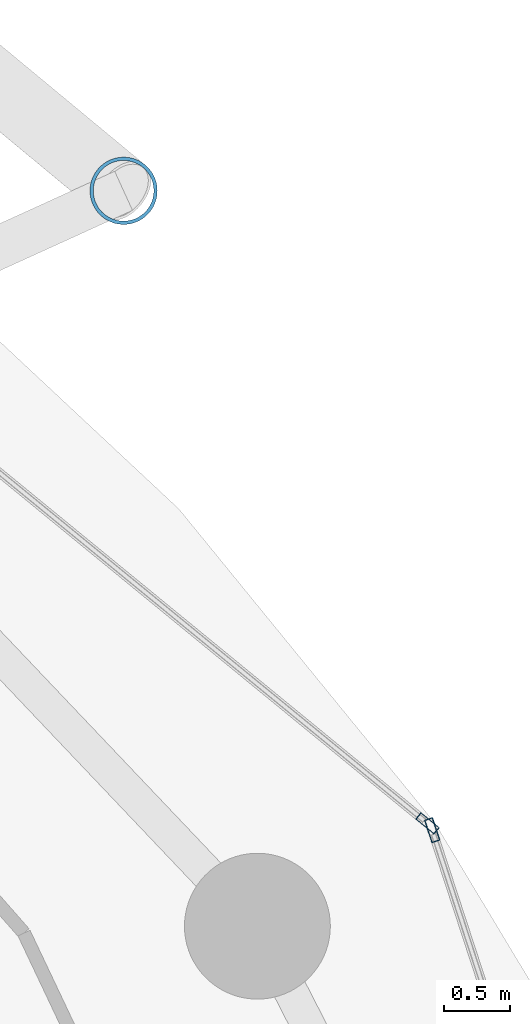
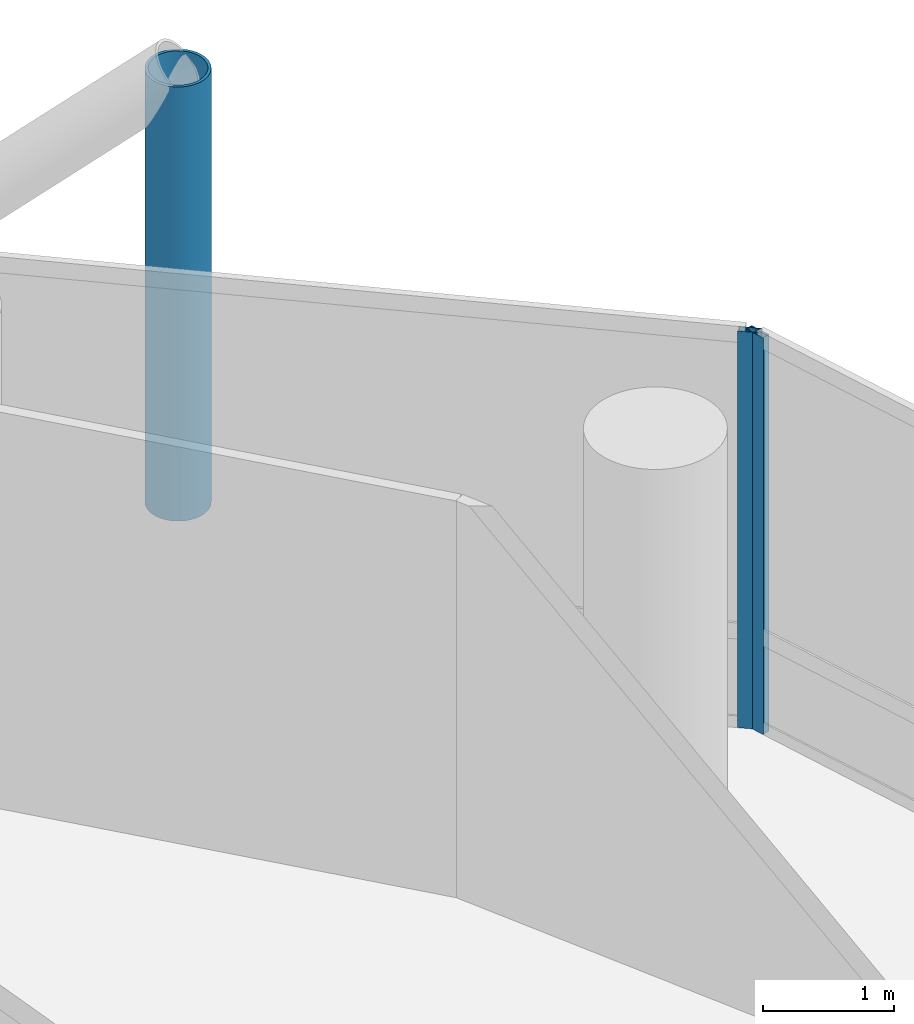
# One storey, part 19 of 27: 3 members, 2 elements without a shape of their own.
"""IFC4 building model written with IfcOpenShell, lengths in metres."""

import ifcopenshell
import ifcopenshell.guid

model = None  # the IFC model being written
_history = None  # IfcOwnerHistory: only IFC2X3 demands one
_inside = {}  # id of a spatial element -> (the spatial element, [elements in it])
_under = {}  # id of a project, library or spatial element -> (it, [spatial elements below it])
_declared = {}  # id of a project -> (the project, [libraries it declares])
_typed = {}  # id of a type object -> (the type object, [elements of that type])
_made_of = {}  # id of a material, layer set ... -> (it, [elements and type objects made of it])


def new_model(schema):
    """Start an empty IFC model of exactly this schema.

    Asked for "IFC4X3", IfcOpenShell would pick the latest addendum, in which some entities
    have other attributes; the version numbers below select the first issue.
    IFC2X3 requires an IfcOwnerHistory on every rooted entity: one is made here for all.
    """
    global model, _history
    if schema == "IFC4X3":
        model = ifcopenshell.file(schema_version=(4, 3, 0, 0))
    else:
        model = ifcopenshell.file(schema=schema)
    _inside.clear()
    _under.clear()
    _declared.clear()
    _typed.clear()
    _made_of.clear()
    _history = None
    if model.schema == "IFC2X3":
        org = make("IfcOrganization", Name="unknown")
        user = make(
            "IfcPersonAndOrganization",
            ThePerson=make("IfcPerson", FamilyName="unknown"),
            TheOrganization=org,
        )
        app = make(
            "IfcApplication",
            ApplicationDeveloper=org,
            Version="unknown",
            ApplicationFullName="unknown",
            ApplicationIdentifier="unknown",
        )
        _history = make(
            "IfcOwnerHistory",
            OwningUser=user,
            OwningApplication=app,
            ChangeAction="ADDED",
            CreationDate=0,
        )
    return model


def make(cls, **values):
    """One entity of the class cls with the attributes given. An attribute that is None is left unset."""
    return model.create_entity(
        cls, **{name: value for name, value in values.items() if value is not None}
    )


def rooted(cls, **values):
    """An entity with a GlobalId (a new one), such as an element, a storey or a relation."""
    return make(cls, GlobalId=ifcopenshell.guid.new(), OwnerHistory=_history, **values)


def si_unit(unit_type, name, prefix=None):
    """IfcSIUnit, for example si_unit("LENGTHUNIT", "METRE", prefix="MILLI")."""
    return make("IfcSIUnit", UnitType=unit_type, Prefix=prefix, Name=name)


def assignment(units):
    """IfcUnitAssignment: the units of a project."""
    return None if units is None else make("IfcUnitAssignment", Units=units)


def point(xyz):
    """IfcCartesianPoint."""
    return None if xyz is None else make("IfcCartesianPoint", Coordinates=xyz)


def direction(xyz):
    """IfcDirection."""
    return None if xyz is None else make("IfcDirection", DirectionRatios=xyz)


def frame(location, z_axis=None, x_axis=None):
    """IfcAxis2Placement3D, a coordinate frame: its origin and axes. An axis left out is left unset."""
    return make(
        "IfcAxis2Placement3D",
        Location=point(location),
        Axis=direction(z_axis),
        RefDirection=direction(x_axis),
    )


def frame_2d(location, x_axis=None):
    """IfcAxis2Placement2D, a coordinate frame in the plane: its origin and x axis."""
    return make(
        "IfcAxis2Placement2D", Location=point(location), RefDirection=direction(x_axis)
    )


def origin():
    """The frame at (0, 0, 0) with its axes left unset."""
    return frame((0.0, 0.0, 0.0))


def origin_2d():
    """The frame at (0, 0) in the plane with its x axis left unset."""
    return frame_2d((0.0, 0.0))


def place(relative_to, where):
    """IfcLocalPlacement: puts the frame where relative to a parent placement (None: the world)."""
    return make(
        "IfcLocalPlacement", PlacementRelTo=relative_to, RelativePlacement=where
    )


def context(
    kind, dimensions, precision=None, world=None, true_north=None, identifier=None
):
    """IfcGeometricRepresentationContext, for example the 3D "Model" context."""
    return make(
        "IfcGeometricRepresentationContext",
        ContextIdentifier=identifier,
        ContextType=kind,
        CoordinateSpaceDimension=dimensions,
        Precision=precision,
        WorldCoordinateSystem=world,
        TrueNorth=true_north,
    )


def subcontext(parent, identifier, kind, view, scale=None):
    """IfcGeometricRepresentationSubContext, for example "Body" below "Model"."""
    return make(
        "IfcGeometricRepresentationSubContext",
        ContextIdentifier=identifier,
        ContextType=kind,
        ParentContext=parent,
        TargetScale=scale,
        TargetView=view,
    )


def project(units=None, contexts=None):
    """IfcProject with its units and contexts."""
    return rooted(
        "IfcProject",
        Name="project",
        RepresentationContexts=contexts,
        UnitsInContext=assignment(units),
    )


def spatial(cls, under=None, at=None, **own):
    """A site, building, storey or space (cls), placed at a placement, below another one or the project."""
    s = rooted(cls, ObjectPlacement=at, **own)
    if under is not None:
        _under.setdefault(under.id(), (under, []))[1].append(s)
    return s


def profile(cls, at=None, kind="AREA", **sizes):
    """A parametric profile (cls). Its sizes go by their IFC names, for example OverallWidth=200.0."""
    return make(cls, ProfileType=kind, Position=at, **sizes)


def hollow_rectangle(**sizes):
    """IfcRectangleHollowProfileDef."""
    return profile("IfcRectangleHollowProfileDef", **sizes)


def hollow_circle(**sizes):
    """IfcCircleHollowProfileDef."""
    return profile("IfcCircleHollowProfileDef", **sizes)


def extrude(swept, where, along, depth):
    """IfcExtrudedAreaSolid: the profile swept, set in the frame where, extruded along a direction by depth."""
    return make(
        "IfcExtrudedAreaSolid",
        SweptArea=swept,
        Position=where,
        ExtrudedDirection=direction(along),
        Depth=depth,
    )


def shape(context_of_items, identifier, shape_type, items):
    """IfcShapeRepresentation: the items that make up one representation, for example the "Body"."""
    return make(
        "IfcShapeRepresentation",
        ContextOfItems=context_of_items,
        RepresentationIdentifier=identifier,
        RepresentationType=shape_type,
        Items=items,
    )


def material(Name=None, Category=None):
    """IfcMaterial."""
    return make("IfcMaterial", Name=Name, Category=Category)


def layer(
    of_material, thickness, ventilated=None, Name=None, Category=None, Priority=None
):
    """IfcMaterialLayer: one layer of a wall or slab, of a material (None: an air gap)."""
    return make(
        "IfcMaterialLayer",
        Material=of_material,
        LayerThickness=thickness,
        IsVentilated=ventilated,
        Name=Name,
        Category=Category,
        Priority=Priority,
    )


def layer_set(layers, Name=None):
    """IfcMaterialLayerSet."""
    return make("IfcMaterialLayerSet", MaterialLayers=layers, LayerSetName=Name)


def material_profile(
    of_material, cross_section, Name=None, Category=None, Priority=None
):
    """IfcMaterialProfile: a cross section and its material."""
    return make(
        "IfcMaterialProfile",
        Name=Name,
        Material=of_material,
        Profile=cross_section,
        Priority=Priority,
        Category=Category,
    )


def profile_set(profiles, Name=None, composite=None):
    """IfcMaterialProfileSet."""
    return make(
        "IfcMaterialProfileSet",
        Name=Name,
        MaterialProfiles=profiles,
        CompositeProfile=composite,
    )


def made_of(thing, what):
    """Note that an element or type object is made of a material, layer set ...; save() writes the relation."""
    if what is not None:
        _made_of.setdefault(what.id(), (what, []))[1].append(thing)
    return thing


def type_object(cls, material=None, **own):
    """A type object (cls), such as IfcWallType, which elements share."""
    return made_of(rooted(cls, **own), material)


def element(
    cls,
    number,
    at=None,
    inside=None,
    cuts=None,
    type_object=None,
    material=None,
    context=None,
    identifier="Body",
    shape_type=None,
    held_by="IfcProductDefinitionShape",
    body=None,
    shapes=None,
    **own,
):
    """One element of the class cls, such as IfcWall. Its Tag is "e" and its number.

    at: its placement. inside: the storey or other place that contains it. cuts: it is an
    opening in that element (IfcRelVoidsElement). A single representation is given by context,
    identifier, shape_type and body (its items); several are given by shapes. held_by: the class
    of the entity that holds the representations. save() writes the other relations.
    """
    e = rooted(cls, Tag="e%d" % number, ObjectPlacement=at, **own)
    if body is not None:
        shapes = [shape(context, identifier, shape_type, body)]
    if shapes is not None:
        e.Representation = make(held_by, Representations=shapes)
    if inside is not None:
        _inside.setdefault(inside.id(), (inside, []))[1].append(e)
    if cuts is not None:
        rooted(
            "IfcRelVoidsElement", RelatingBuildingElement=cuts, RelatedOpeningElement=e
        )
    if type_object is not None:
        _typed.setdefault(type_object.id(), (type_object, []))[1].append(e)
    return made_of(e, material)


def aggregate(whole, parts):
    """IfcRelAggregates: a whole, such as a stair, and the parts it consists of."""
    return rooted("IfcRelAggregates", RelatingObject=whole, RelatedObjects=parts)


def save(model, path):
    """Write the relations noted so far, then the file.

    IfcRelAggregates (storeys below a building ...), IfcRelContainedInSpatialStructure (elements
    in a storey), IfcRelDefinesByType, IfcRelAssociatesMaterial and IfcRelDeclares: one each for
    every whole, place, type object, material and project.
    """
    for whole, parts in _under.values():
        aggregate(whole, parts)
    for where, things in _inside.values():
        rooted(
            "IfcRelContainedInSpatialStructure",
            RelatedElements=things,
            RelatingStructure=where,
        )
    for kind, things in _typed.values():
        rooted("IfcRelDefinesByType", RelatedObjects=things, RelatingType=kind)
    for what, things in _made_of.values():
        rooted("IfcRelAssociatesMaterial", RelatedObjects=things, RelatingMaterial=what)
    for by, libraries in _declared.values():
        rooted("IfcRelDeclares", RelatingContext=by, RelatedDefinitions=libraries)
    model.write(path)


model = new_model("IFC4")

# Units and contexts
model_context = context("Model", 3, precision=1e-05, world=origin(), true_north=direction((0.0, 1.0)))
body_context = subcontext(model_context, "Body", "Model", "MODEL_VIEW")
ifc_project = project(units=[si_unit("LENGTHUNIT", "METRE"), si_unit("AREAUNIT", "SQUARE_METRE"), si_unit("VOLUMEUNIT", "CUBIC_METRE"), si_unit("PLANEANGLEUNIT", "RADIAN"), si_unit("MASSUNIT", "GRAM", prefix="KILO")], contexts=[model_context])

# Site, building, storey
site_placement = place(None, origin())
site = spatial("IfcSite", under=ifc_project, at=site_placement, CompositionType="ELEMENT")
building_placement = place(site_placement, origin())
building = spatial("IfcBuilding", under=site, at=building_placement, Name="Nuhasar Tower", CompositionType="ELEMENT")
storey_placement = place(building_placement, frame((0.0, 0.0, 102.0)))
storey = spatial("IfcBuildingStorey", under=building, at=storey_placement, Name="L24", CompositionType="ELEMENT", Elevation=102.0)

# Curtain wall, member
ifc_material_1 = material(Name="Aluminium 6063-T6", Category="aluminium")
ifc_layer = layer(ifc_material_1, 0.199951171875)
ifc_layer_set = layer_set([ifc_layer], Name="Aluminium 6063-T6")
curtain_wall_type = type_object("IfcCurtainWallType", Name="CW-Z1-OFF", PredefinedType="NOTDEFINED", material=ifc_layer_set)
curtain_wall_1_placement = place(storey_placement, origin())
curtain_wall_1 = element("IfcCurtainWall", 1, at=curtain_wall_1_placement, inside=storey, type_object=curtain_wall_type, Name="L24 Unitised Curtain Wall 01", PredefinedType="NOTDEFINED")
ifc_material_profile_1 = material_profile(ifc_material_1, hollow_rectangle(XDim=0.06494140625, YDim=0.179931640625, WallThickness=0.0048828125, at=origin_2d()), Name="CWM-2")
ifc_profile_set_1 = profile_set([ifc_material_profile_1], Name="Aluminium 6063-T6")
member_type_1 = type_object("IfcMemberType", Name="CW-MUL-S2", PredefinedType="MULLION", material=ifc_profile_set_1)
member_1_placement = place(storey_placement, frame((62.01220703125, 37.649169921875, 0.0), z_axis=(0.0, 0.0, 1.0), x_axis=(-0.950467534571, -0.310823849997, 0.0)))
member_1 = element("IfcMember", 2, at=member_1_placement, type_object=member_type_1, Name="CW-Z1 mullion 2", PredefinedType="MULLION", context=body_context, shape_type="SweptSolid", body=[
    extrude(hollow_rectangle(XDim=0.06494140625, YDim=0.179931640625, WallThickness=0.0048828125, at=origin_2d()), origin(), (0.0, 0.0, 1.0), 3.699951171875),
])
aggregate(curtain_wall_1, [member_1])

curtain_wall_2_placement = place(storey_placement, origin())
curtain_wall_2 = element("IfcCurtainWall", 3, at=curtain_wall_2_placement, inside=storey, type_object=curtain_wall_type, Name="L24 Unitised Curtain Wall 02", PredefinedType="NOTDEFINED")
member_2_placement = place(storey_placement, frame((61.976806640625, 37.70068359375, 0.0), z_axis=(0.0, 0.0, 1.0), x_axis=(-0.633744593376, -0.773542364946, 0.0)))
member_2 = element("IfcMember", 4, at=member_2_placement, type_object=member_type_1, Name="CW-Z1 mullion 1", PredefinedType="MULLION", context=body_context, shape_type="SweptSolid", body=[
    extrude(hollow_rectangle(XDim=0.06494140625, YDim=0.179931640625, WallThickness=0.0048828125, at=origin_2d()), origin(), (0.0, 0.0, 1.0), 3.699951171875),
])
aggregate(curtain_wall_2, [member_2])

# Member
ifc_material_2 = material(Name="Steel S460", Category="steel")
ifc_material_profile_2 = material_profile(ifc_material_2, hollow_circle(Radius=0.25390625, WallThickness=0.025390625, at=origin_2d()), Name="HSS508X25.4")
ifc_profile_set_2 = profile_set([ifc_material_profile_2], Name="Steel S460")
member_type_2 = type_object("IfcMemberType", Name="EXO-BRONZE-508", PredefinedType="BRACE", material=ifc_profile_set_2)
member_3_placement = place(storey_placement, frame((59.68505859375, 42.470947265625, 0.0), z_axis=(0.0, 0.0, 1.0), x_axis=(1.0, 0.0, 0.0)))
element("IfcMember", 5, at=member_3_placement, inside=storey, type_object=member_type_2, Name="L24 Exoskeleton Chord Column EC-02A", PredefinedType="BRACE", context=body_context, shape_type="SweptSolid", body=[
    extrude(hollow_circle(Radius=0.25390625, WallThickness=0.025390625, at=origin_2d()), origin(), (0.0, 0.0, 1.0), 4.050048828125),
])

save(model, "model.ifc")
